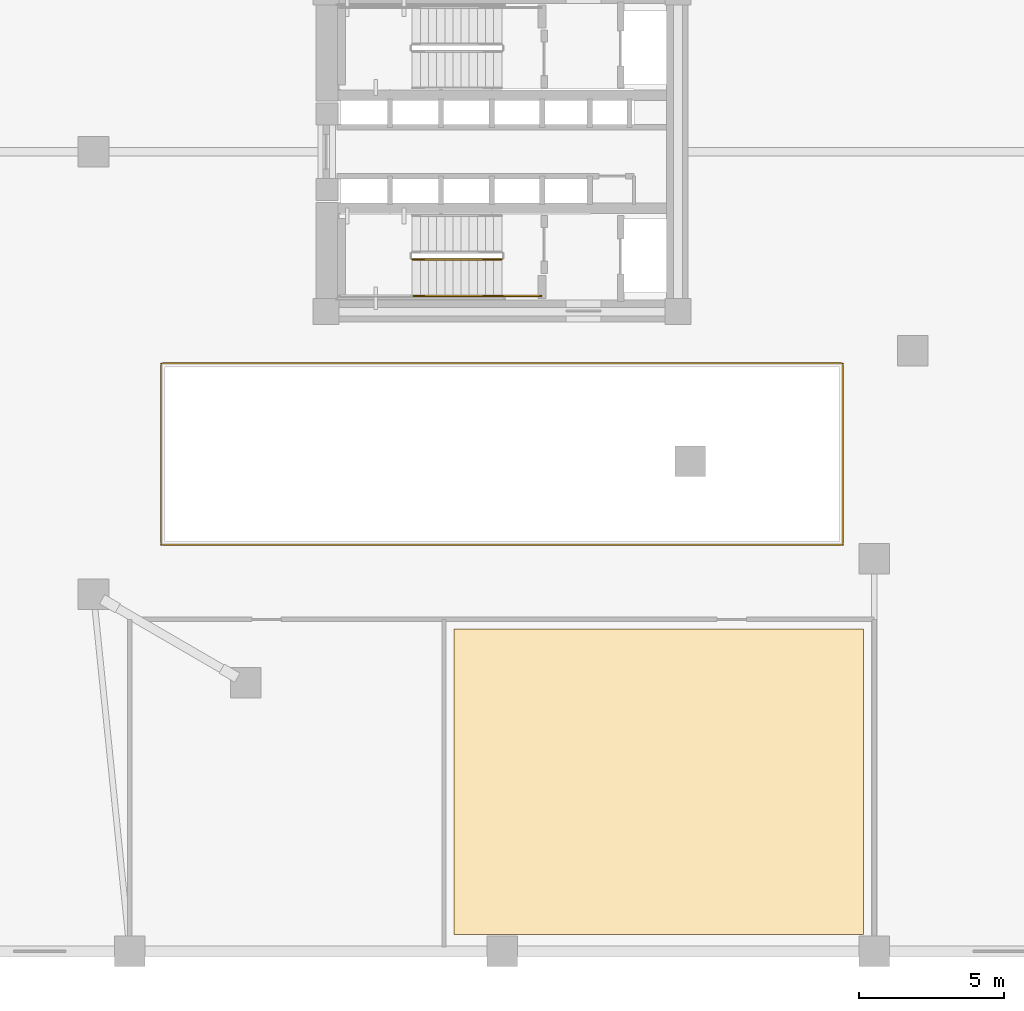
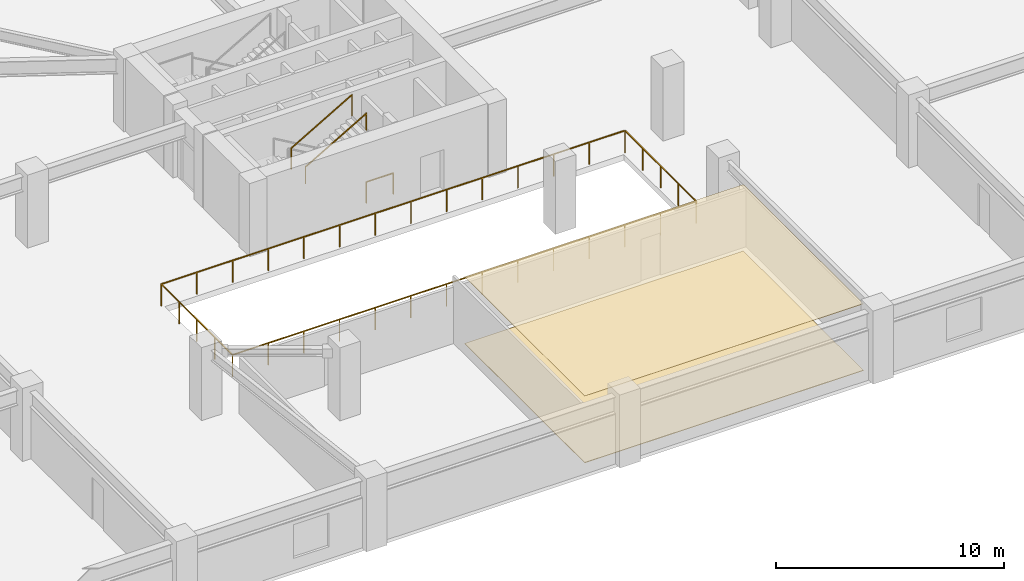
# One storey, part 10 of 16: 4 railings, 2 coverings.
"""IFC4 building model written with IfcOpenShell, lengths in metres."""

from ifc_helpers import new_model, si_unit, direction, frame, origin, origin_2d, place, context, subcontext, project, spatial, polyline, rectangle, outline, extrude, material, layer, layer_set, type_object, element, save


model = new_model("IFC4")

# Units and contexts
model_context = context("Model", 3, precision=1e-05, world=origin(), true_north=direction((0.0, 1.0)))
body_context = subcontext(model_context, "Body", "Model", "MODEL_VIEW")
ifc_project = project(units=[si_unit("LENGTHUNIT", "METRE"), si_unit("AREAUNIT", "SQUARE_METRE"), si_unit("VOLUMEUNIT", "CUBIC_METRE"), si_unit("PLANEANGLEUNIT", "RADIAN"), si_unit("MASSUNIT", "GRAM", prefix="KILO")], contexts=[model_context])

# Site, building, storey
site_placement = place(None, origin())
site = spatial("IfcSite", under=ifc_project, at=site_placement, CompositionType="ELEMENT")
building_placement = place(site_placement, origin())
building = spatial("IfcBuilding", under=site, at=building_placement, Name="Yunling Apex Tower", CompositionType="ELEMENT")
storey_placement = place(building_placement, frame((0.0, 0.0, 4.5)))
storey = spatial("IfcBuildingStorey", under=building, at=storey_placement, Name="L02", CompositionType="ELEMENT", Elevation=4.5)

# Coverings
ifc_material_1 = material(Name="Acoustic mineral fibre ceiling")
ifc_layer_1 = layer(ifc_material_1, 0.02490234375)
ifc_layer_set_1 = layer_set([ifc_layer_1], Name="Acoustic mineral fibre ceiling")
covering_type_1 = type_object("IfcCoveringType", Name="CV-CLG-1", PredefinedType="CEILING", material=ifc_layer_set_1)
covering_1_placement = place(storey_placement, frame((0.0, 0.0, 3.56494140625)))
element("IfcCovering", 1, at=covering_1_placement, inside=storey, type_object=covering_type_1, Name="CV-CL-SP-L02-S2", PredefinedType="CEILING", context=body_context, shape_type="SweptSolid", body=[
    extrude(outline(polyline([(12.429931640625, -26.929931640625), (-1.659912109375, -26.929931640625), (-1.659912109375, -16.419921875), (12.429931640625, -16.419921875), (12.429931640625, -26.929931640625)])), origin(), (0.0, 0.0, 1.0), 0.025146484375),
])
ifc_material_2 = material(Name="Polished granite stone", Category="masonry")
ifc_layer_2 = layer(ifc_material_2, 0.030029296875)
ifc_layer_set_2 = layer_set([ifc_layer_2], Name="Polished granite stone")
covering_type_2 = type_object("IfcCoveringType", Name="CV-FLR-1", PredefinedType="FLOORING", material=ifc_layer_set_2)
covering_2_placement = place(storey_placement, origin())
element("IfcCovering", 2, at=covering_2_placement, inside=storey, type_object=covering_type_2, Name="CV-FL-SP-L02-S2", PredefinedType="FLOORING", context=body_context, shape_type="SweptSolid", body=[
    extrude(outline(polyline([(12.429931640625, -26.929931640625), (-1.659912109375, -26.929931640625), (-1.659912109375, -16.419921875), (12.429931640625, -16.419921875), (12.429931640625, -26.929931640625)])), origin(), (0.0, 0.0, 1.0), 0.030029296875),
])

# Railings
ifc_material_3 = material(Name="Bronze anodised aluminium", Category="aluminium")
railing_type_1 = type_object("IfcRailingType", Name="RL-BAL-1200", PredefinedType="BALUSTRADE", material=ifc_material_3)
railing_1_placement = place(storey_placement, frame((11.719970703125, -13.52001953125, 0.0)))
element("IfcRailing", 3, at=railing_1_placement, inside=storey, type_object=railing_type_1, Name="RL-PATR-L02", PredefinedType="BALUSTRADE", context=body_context, shape_type="SweptSolid", body=[
    extrude(rectangle(XDim=0.0439453125, YDim=0.0439453125, at=origin_2d()), origin(), (0.0, 0.0, 1.0), 1.199951171875),
    extrude(rectangle(XDim=0.0439453125, YDim=0.0439453125, at=origin_2d()), frame((0.0, 6.239990234375, 0.0)), (0.0, 0.0, 1.0), 1.199951171875),
    extrude(rectangle(XDim=0.050048828125, YDim=0.050048828125, at=origin_2d()), frame((0.0, 0.038330078125, 1.1748046875), z_axis=(0.0, 1.0, 0.0), x_axis=(-1.0, 0.0, 0.0)), (0.0, 0.0, 1.0), 6.163330078125),
    extrude(rectangle(XDim=0.0439453125, YDim=0.0439453125, at=origin_2d()), frame((0.0, 1.56005859375, 0.0)), (0.0, 0.0, 1.0), 1.14599609375),
    extrude(rectangle(XDim=0.0439453125, YDim=0.0439453125, at=origin_2d()), frame((0.0, 3.1201171875, 0.0)), (0.0, 0.0, 1.0), 1.14599609375),
    extrude(rectangle(XDim=0.0439453125, YDim=0.0439453125, at=origin_2d()), frame((0.0, 4.679931640625, 0.0)), (0.0, 0.0, 1.0), 1.14599609375),
    extrude(rectangle(XDim=0.0439453125, YDim=0.0439453125, at=origin_2d()), frame((-23.43994140625, 6.239990234375, 0.0)), (0.0, 0.0, 1.0), 1.199951171875),
    extrude(rectangle(XDim=0.050048828125, YDim=0.050048828125, at=origin_2d()), frame((-0.038330078125, 6.239990234375, 1.1748046875), z_axis=(-1.0, 0.0, 0.0), x_axis=(0.0, -1.0, 0.0)), (0.0, 0.0, 1.0), 23.36328125),
    extrude(rectangle(XDim=0.0439453125, YDim=0.0439453125, at=origin_2d()), frame((-1.802978515625, 6.239990234375, 0.0)), (0.0, 0.0, 1.0), 1.14599609375),
    extrude(rectangle(XDim=0.0439453125, YDim=0.0439453125, at=origin_2d()), frame((-3.606201171875, 6.239990234375, 0.0)), (0.0, 0.0, 1.0), 1.14599609375),
    extrude(rectangle(XDim=0.0439453125, YDim=0.0439453125, at=origin_2d()), frame((-5.4091796875, 6.239990234375, 0.0)), (0.0, 0.0, 1.0), 1.14599609375),
    extrude(rectangle(XDim=0.0439453125, YDim=0.0439453125, at=origin_2d()), frame((-7.21240234375, 6.239990234375, 0.0)), (0.0, 0.0, 1.0), 1.14599609375),
    extrude(rectangle(XDim=0.0439453125, YDim=0.0439453125, at=origin_2d()), frame((-9.015380859375, 6.239990234375, 0.0)), (0.0, 0.0, 1.0), 1.14599609375),
    extrude(rectangle(XDim=0.0439453125, YDim=0.0439453125, at=origin_2d()), frame((-10.818359375, 6.239990234375, 0.0)), (0.0, 0.0, 1.0), 1.14599609375),
    extrude(rectangle(XDim=0.0439453125, YDim=0.0439453125, at=origin_2d()), frame((-12.62158203125, 6.239990234375, 0.0)), (0.0, 0.0, 1.0), 1.14599609375),
    extrude(rectangle(XDim=0.0439453125, YDim=0.0439453125, at=origin_2d()), frame((-14.424560546875, 6.239990234375, 0.0)), (0.0, 0.0, 1.0), 1.14599609375),
    extrude(rectangle(XDim=0.0439453125, YDim=0.0439453125, at=origin_2d()), frame((-16.2275390625, 6.239990234375, 0.0)), (0.0, 0.0, 1.0), 1.14599609375),
    extrude(rectangle(XDim=0.0439453125, YDim=0.0439453125, at=origin_2d()), frame((-18.03076171875, 6.239990234375, 0.0)), (0.0, 0.0, 1.0), 1.14599609375),
    extrude(rectangle(XDim=0.0439453125, YDim=0.0439453125, at=origin_2d()), frame((-19.833740234375, 6.239990234375, 0.0)), (0.0, 0.0, 1.0), 1.14599609375),
    extrude(rectangle(XDim=0.0439453125, YDim=0.0439453125, at=origin_2d()), frame((-21.636962890625, 6.239990234375, 0.0)), (0.0, 0.0, 1.0), 1.14599609375),
    extrude(rectangle(XDim=0.0439453125, YDim=0.0439453125, at=origin_2d()), frame((-23.43994140625, 0.0, 0.0)), (0.0, 0.0, 1.0), 1.199951171875),
    extrude(rectangle(XDim=0.050048828125, YDim=0.050048828125, at=origin_2d()), frame((-23.43994140625, 6.20166015625, 1.1748046875), z_axis=(0.0, -1.0, 0.0), x_axis=(1.0, 0.0, 0.0)), (0.0, 0.0, 1.0), 6.163330078125),
    extrude(rectangle(XDim=0.0439453125, YDim=0.0439453125, at=origin_2d()), frame((-23.43994140625, 4.679931640625, 0.0)), (0.0, 0.0, 1.0), 1.14599609375),
    extrude(rectangle(XDim=0.0439453125, YDim=0.0439453125, at=origin_2d()), frame((-23.43994140625, 3.1201171875, 0.0)), (0.0, 0.0, 1.0), 1.14599609375),
    extrude(rectangle(XDim=0.0439453125, YDim=0.0439453125, at=origin_2d()), frame((-23.43994140625, 1.56005859375, 0.0)), (0.0, 0.0, 1.0), 1.14599609375),
    extrude(rectangle(XDim=0.050048828125, YDim=0.050048828125, at=origin_2d()), frame((-23.401611328125, 0.0, 1.1748046875), z_axis=(1.0, 0.0, 0.0), x_axis=(0.0, 1.0, 0.0)), (0.0, 0.0, 1.0), 23.36328125),
    extrude(rectangle(XDim=0.0439453125, YDim=0.0439453125, at=origin_2d()), frame((-21.636962890625, 0.0, 0.0)), (0.0, 0.0, 1.0), 1.14599609375),
    extrude(rectangle(XDim=0.0439453125, YDim=0.0439453125, at=origin_2d()), frame((-19.833740234375, 0.0, 0.0)), (0.0, 0.0, 1.0), 1.14599609375),
    extrude(rectangle(XDim=0.0439453125, YDim=0.0439453125, at=origin_2d()), frame((-18.03076171875, 0.0, 0.0)), (0.0, 0.0, 1.0), 1.14599609375),
    extrude(rectangle(XDim=0.0439453125, YDim=0.0439453125, at=origin_2d()), frame((-16.2275390625, 0.0, 0.0)), (0.0, 0.0, 1.0), 1.14599609375),
    extrude(rectangle(XDim=0.0439453125, YDim=0.0439453125, at=origin_2d()), frame((-14.424560546875, 0.0, 0.0)), (0.0, 0.0, 1.0), 1.14599609375),
    extrude(rectangle(XDim=0.0439453125, YDim=0.0439453125, at=origin_2d()), frame((-12.62158203125, 0.0, 0.0)), (0.0, 0.0, 1.0), 1.14599609375),
    extrude(rectangle(XDim=0.0439453125, YDim=0.0439453125, at=origin_2d()), frame((-10.818359375, 0.0, 0.0)), (0.0, 0.0, 1.0), 1.14599609375),
    extrude(rectangle(XDim=0.0439453125, YDim=0.0439453125, at=origin_2d()), frame((-9.015380859375, 0.0, 0.0)), (0.0, 0.0, 1.0), 1.14599609375),
    extrude(rectangle(XDim=0.0439453125, YDim=0.0439453125, at=origin_2d()), frame((-7.21240234375, 0.0, 0.0)), (0.0, 0.0, 1.0), 1.14599609375),
    extrude(rectangle(XDim=0.0439453125, YDim=0.0439453125, at=origin_2d()), frame((-5.4091796875, 0.0, 0.0)), (0.0, 0.0, 1.0), 1.14599609375),
    extrude(rectangle(XDim=0.0439453125, YDim=0.0439453125, at=origin_2d()), frame((-3.606201171875, 0.0, 0.0)), (0.0, 0.0, 1.0), 1.14599609375),
    extrude(rectangle(XDim=0.0439453125, YDim=0.0439453125, at=origin_2d()), frame((-1.802978515625, 0.0, 0.0)), (0.0, 0.0, 1.0), 1.14599609375),
])
ifc_material_4 = material(Name="Steel Q355B", Category="steel")
railing_type_2 = type_object("IfcRailingType", Name="RL-GRD-1150", PredefinedType="GUARDRAIL", material=ifc_material_4)
railing_2_placement = place(storey_placement, frame((-3.090087890625, -3.699951171875, 2.112548828125)))
element("IfcRailing", 4, at=railing_2_placement, inside=storey, type_object=railing_type_2, Name="L02 ST-2 stair guard 4", PredefinedType="GUARDRAIL", context=body_context, shape_type="SweptSolid", body=[
    extrude(rectangle(XDim=0.0439453125, YDim=0.0439453125, at=origin_2d()), origin(), (0.0, 0.0, 1.0), 1.14990234375),
    extrude(rectangle(XDim=0.0439453125, YDim=0.0439453125, at=origin_2d()), frame((3.080078125, 0.0, 1.787353515625)), (0.0, 0.0, 1.0), 1.14990234375),
    extrude(rectangle(XDim=0.050048828125, YDim=0.050048828125, at=origin_2d()), frame((0.033203125, 0.0, 1.14404296875), z_axis=(0.864920483161, 0.0, 0.501908913857), x_axis=(0.0, 1.0, 0.0)), (0.0, 0.0, 1.0), 3.484375),
])
railing_3_placement = place(storey_placement, frame((1.35009765625, -4.9599609375, 0.0)))
element("IfcRailing", 5, at=railing_3_placement, inside=storey, type_object=railing_type_2, Name="L02 ST-2 stair guard 6", PredefinedType="GUARDRAIL", context=body_context, shape_type="SweptSolid", body=[
    extrude(rectangle(XDim=0.0439453125, YDim=0.0439453125, at=origin_2d()), origin(), (0.0, 0.0, 1.0), 1.14990234375),
    extrude(rectangle(XDim=0.0439453125, YDim=0.0439453125, at=origin_2d()), frame((-1.360107421875, 0.0, 0.0)), (0.0, 0.0, 1.0), 1.14990234375),
    extrude(rectangle(XDim=0.050048828125, YDim=0.050048828125, at=origin_2d()), frame((-0.038330078125, 0.0, 1.125), z_axis=(-1.0, 0.0, 0.0), x_axis=(0.0, -1.0, 0.0)), (0.0, 0.0, 1.0), 1.283447265625),
])
ifc_material_5 = material(Name="Silver anodised aluminium", Category="aluminium")
railing_type_3 = type_object("IfcRailingType", Name="RL-HND-900", PredefinedType="HANDRAIL", material=ifc_material_5)
railing_4_placement = place(storey_placement, frame((-3.090087890625, -4.9599609375, 2.112548828125)))
element("IfcRailing", 6, at=railing_4_placement, inside=storey, type_object=railing_type_3, Name="L02 ST-2 stair handrail 2", PredefinedType="HANDRAIL", context=body_context, shape_type="SweptSolid", body=[
    extrude(rectangle(XDim=0.0439453125, YDim=0.0439453125, at=origin_2d()), origin(), (0.0, 0.0, 1.0), 0.919921875),
    extrude(rectangle(XDim=0.0439453125, YDim=0.0439453125, at=origin_2d()), frame((3.080078125, 0.0, 1.787353515625)), (0.0, 0.0, 1.0), 0.919921875),
    extrude(rectangle(XDim=0.050048828125, YDim=0.050048828125, at=origin_2d()), frame((0.033203125, 0.0, 0.9140625), z_axis=(0.864920483161, 0.0, 0.501908913857), x_axis=(0.0, 1.0, 0.0)), (0.0, 0.0, 1.0), 3.484375),
])

save(model, "model.ifc")
